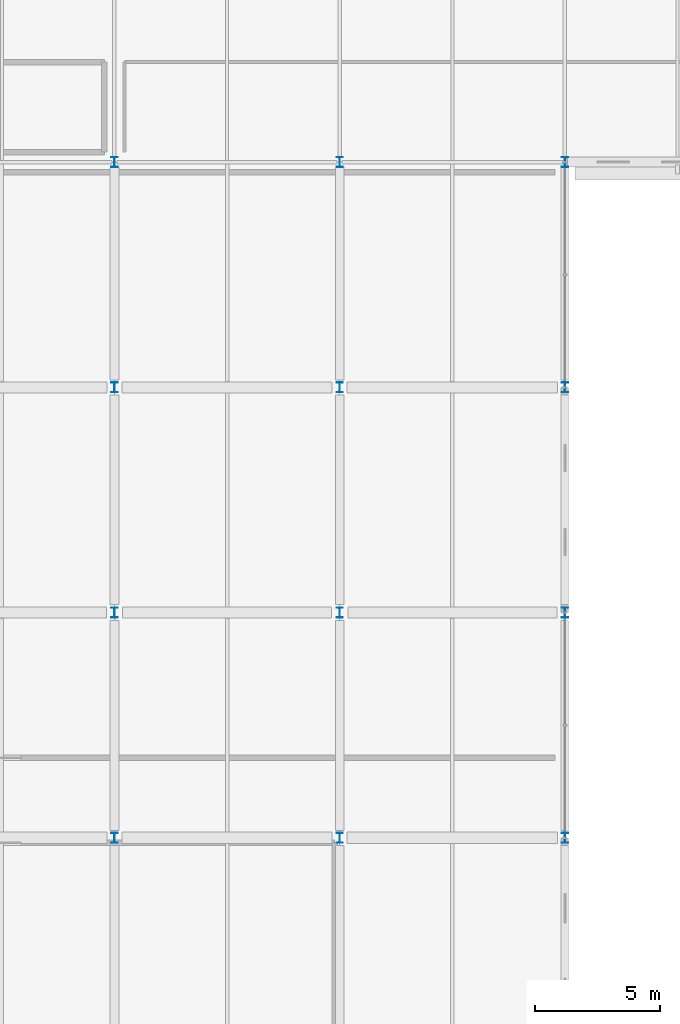
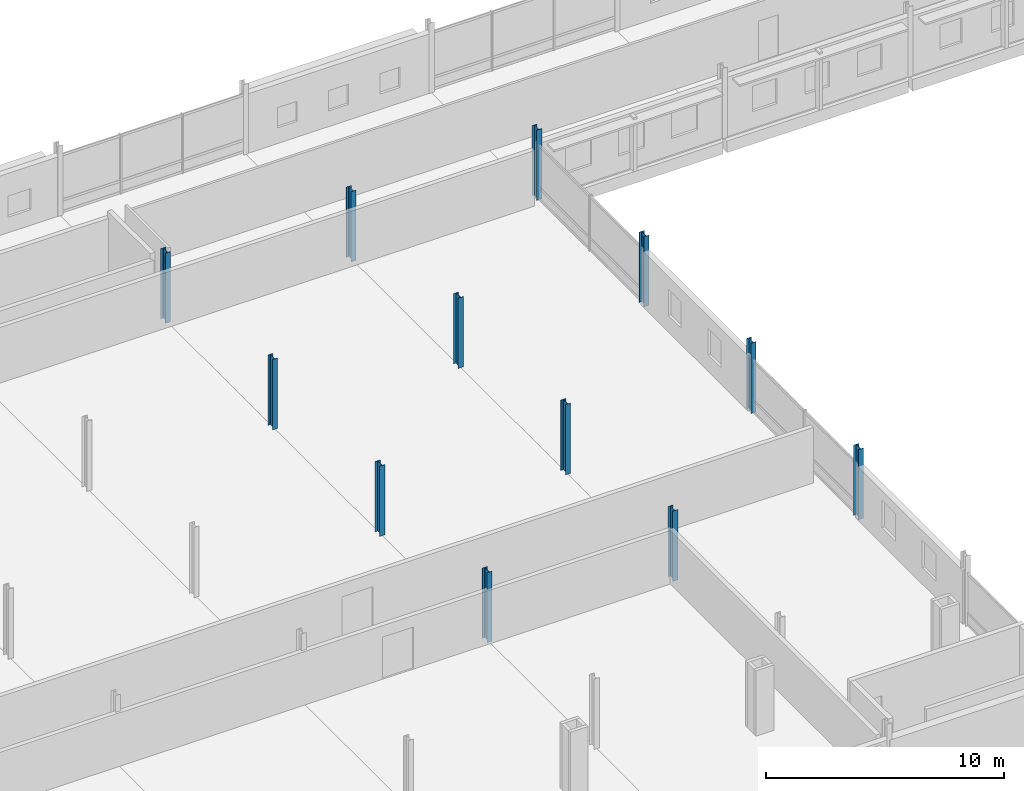
# One storey, part 13 of 132: 12 columns.
"""IFC4 building model written with IfcOpenShell, lengths in metres."""

from ifc_helpers import new_model, si_unit, direction, frame, origin, origin_2d, place, context, subcontext, project, spatial, i_section, extrude, material, material_profile, profile_set, type_object, element, save


model = new_model("IFC4")

# Units and contexts
model_context = context("Model", 3, precision=1e-05, world=origin(), true_north=direction((0.0, 1.0)))
body_context = subcontext(model_context, "Body", "Model", "MODEL_VIEW")
ifc_project = project(units=[si_unit("LENGTHUNIT", "METRE"), si_unit("AREAUNIT", "SQUARE_METRE"), si_unit("VOLUMEUNIT", "CUBIC_METRE"), si_unit("PLANEANGLEUNIT", "RADIAN"), si_unit("MASSUNIT", "GRAM", prefix="KILO")], contexts=[model_context])

# Site, building, storey
site_placement = place(None, origin())
site = spatial("IfcSite", under=ifc_project, at=site_placement, CompositionType="ELEMENT")
building_placement = place(site_placement, origin())
building = spatial("IfcBuilding", under=site, at=building_placement, Name="Tharagai Park Tramway Depot", CompositionType="ELEMENT")
storey_placement = place(building_placement, frame((0.0, 0.0, 4.800048828125)))
storey = spatial("IfcBuildingStorey", under=building, at=storey_placement, Name="L01", CompositionType="ELEMENT", Elevation=4.800048828125)

# Columns
ifc_material = material(Name="Steel E350", Category="steel")
ifc_material_profile = material_profile(ifc_material, i_section(OverallWidth=0.25, OverallDepth=0.39990234375, WebThickness=0.010498046875, FlangeThickness=0.0126953125, FilletRadius=0.013916015625, at=origin_2d()), Name="ISHB 400")
ifc_profile_set = profile_set([ifc_material_profile], Name="Steel E350")
column_type = type_object("IfcColumnType", Name="CL-06", PredefinedType="COLUMN", material=ifc_profile_set)
for number, where, z_axis, x_axis, name in (
    (1, (72.0, 63.0, 0.0), (0.0, 0.0, 1.0), (1.0, 0.0, 0.0), "L01 Structural Column CL-06 (72,63)"),
    (2, (72.0, 72.0, 0.0), (0.0, 0.0, 1.0), (1.0, 0.0, 0.0), "L01 Structural Column CL-06 (72,72)"),
    (3, (72.0, 81.0, 0.0), (0.0, 0.0, 1.0), (1.0, 0.0, 0.0), "L01 Structural Column CL-06 (72,81)"),
    (4, (72.0, 90.0, 0.0), (0.0, 0.0, 1.0), (1.0, 0.0, 0.0), "L01 Structural Column CL-06 (72,90)"),
    (5, (81.0, 63.0, 0.0), (0.0, 0.0, 1.0), (1.0, 0.0, 0.0), "L01 Structural Column CL-06 (81,63)"),
    (6, (81.0, 72.0, 0.0), (0.0, 0.0, 1.0), (1.0, 0.0, 0.0), "L01 Structural Column CL-06 (81,72)"),
    (7, (81.0, 81.0, 0.0), (0.0, 0.0, 1.0), (1.0, 0.0, 0.0), "L01 Structural Column CL-06 (81,81)"),
    (8, (81.0, 90.0, 0.0), (0.0, 0.0, 1.0), (1.0, 0.0, 0.0), "L01 Structural Column CL-06 (81,90)"),
    (9, (90.0, 63.0, 0.0), (0.0, 0.0, 1.0), (1.0, 0.0, 0.0), "L01 Structural Column CL-06 (90,63)"),
    (10, (90.0, 72.0, 0.0), (0.0, 0.0, 1.0), (1.0, 0.0, 0.0), "L01 Structural Column CL-06 (90,72)"),
    (11, (90.0, 81.0, 0.0), (0.0, 0.0, 1.0), (1.0, 0.0, 0.0), "L01 Structural Column CL-06 (90,81)"),
    (12, (90.0, 90.0, 0.0), (0.0, 0.0, 1.0), (1.0, 0.0, 0.0), "L01 Structural Column CL-06 (90,90)"),
):
    element("IfcColumn", number, at=place(storey_placement, frame(where, z_axis=z_axis, x_axis=x_axis)), inside=storey, type_object=column_type, Name=name, PredefinedType="COLUMN", context=body_context, shape_type="SweptSolid", body=[
        extrude(i_section(OverallWidth=0.25, OverallDepth=0.39990234375, WebThickness=0.010498046875, FlangeThickness=0.0126953125, FilletRadius=0.013916015625, at=origin_2d()), origin(), (0.0, 0.0, 1.0), 3.599853515625),
    ])

save(model, "model.ifc")
